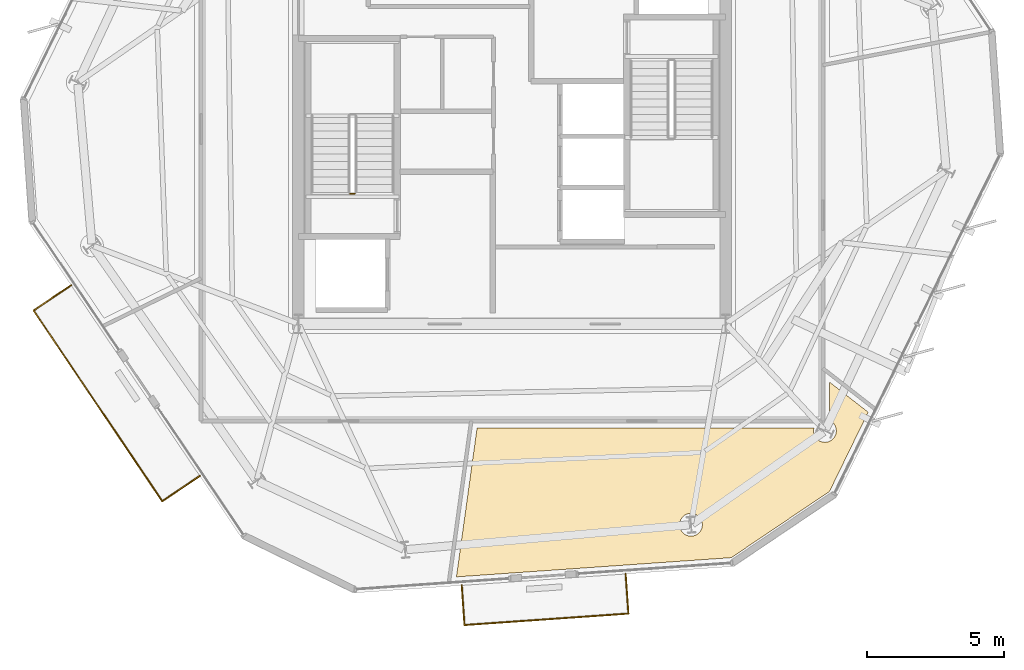
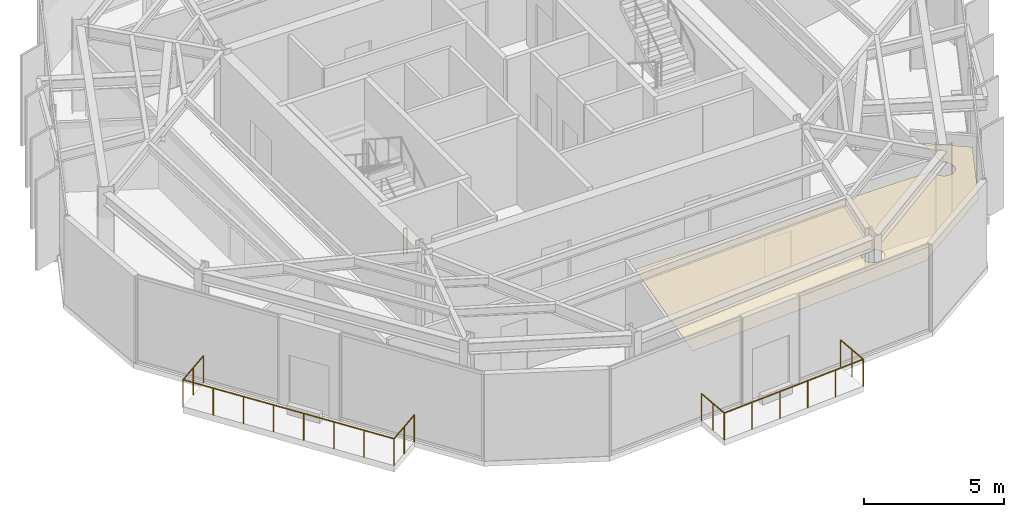
# One storey, part 9 of 13: 3 railings, 1 covering.
"""IFC4 building model written with IfcOpenShell, lengths in metres."""

from ifc_helpers import new_model, si_unit, direction, frame, origin, origin_2d, place, context, subcontext, project, spatial, polyline, circle, outline, extrude, material, layer, layer_set, type_object, element, save


model = new_model("IFC4")

# Units and contexts
model_context = context("Model", 3, precision=1e-05, world=origin(), true_north=direction((0.0, 1.0)))
body_context = subcontext(model_context, "Body", "Model", "MODEL_VIEW")
ifc_project = project(units=[si_unit("LENGTHUNIT", "METRE"), si_unit("AREAUNIT", "SQUARE_METRE"), si_unit("VOLUMEUNIT", "CUBIC_METRE"), si_unit("PLANEANGLEUNIT", "RADIAN"), si_unit("MASSUNIT", "GRAM", prefix="KILO")], contexts=[model_context])

# Site, building, storey
site_placement = place(None, origin())
site = spatial("IfcSite", under=ifc_project, at=site_placement, CompositionType="ELEMENT")
building_placement = place(site_placement, origin())
building = spatial("IfcBuilding", under=site, at=building_placement, Name="Kranzbogen Civic Tower", CompositionType="ELEMENT")
storey_placement = place(building_placement, frame((0.0, 0.0, 282.199951171875)))
storey = spatial("IfcBuildingStorey", under=building, at=storey_placement, Name="L68", CompositionType="ELEMENT", Elevation=282.199951171875)

# Railings
ifc_material_1 = material(Name="Anodised Bronze Aluminium", Category="aluminium")
railing_type_1 = type_object("IfcRailingType", Name="Cantilevered Balcony Glass and Bronze Balustrade 1200", PredefinedType="BALUSTRADE", material=ifc_material_1)
railing_1_placement = place(storey_placement, frame((23.1640625, 8.248046875, 0.0)))
element("IfcRailing", 1, at=railing_1_placement, inside=storey, type_object=railing_type_1, Name="L68 exterior terrace balustrade L68-TB1", PredefinedType="BALUSTRADE", context=body_context, shape_type="SweptSolid", body=[
    extrude(circle(Radius=0.02392578125, at=origin_2d()), frame((0.0, 0.0, 1.17578125), z_axis=(0.069559284056, -0.997577819522, 0.0), x_axis=(0.997577819522, 0.069559284056, 0.0)), (0.0, 0.0, 1.0), 1.449462890625),
    extrude(circle(Radius=0.02392578125, at=origin_2d()), frame((0.100830078125, -1.446044921875, 1.17578125), z_axis=(0.997570433661, 0.069665126756, 0.0), x_axis=(-0.069665126756, 0.997570433661, 0.0)), (0.0, 0.0, 1.0), 5.999755859375),
    extrude(circle(Radius=0.02392578125, at=origin_2d()), frame((6.0859375, -1.028076171875, 1.17578125), z_axis=(-0.069726890604, 0.997566118474, 0.0), x_axis=(-0.997566118474, -0.069726890604, 0.0)), (0.0, 0.0, 1.0), 1.449462890625),
    extrude(circle(Radius=0.02099609375, at=origin_2d()), origin(), (0.0, 0.0, 1.0), 1.15185546875),
    extrude(circle(Radius=0.02099609375, at=origin_2d()), frame((0.05029296875, -0.72314453125, 0.0)), (0.0, 0.0, 1.0), 1.15185546875),
    extrude(circle(Radius=0.02099609375, at=origin_2d()), frame((0.100830078125, -1.446044921875, 0.0)), (0.0, 0.0, 1.0), 1.15185546875),
    extrude(circle(Radius=0.02099609375, at=origin_2d()), frame((1.2978515625, -1.362548828125, 0.0)), (0.0, 0.0, 1.0), 1.15185546875),
    extrude(circle(Radius=0.02099609375, at=origin_2d()), frame((2.494873046875, -1.27880859375, 0.0)), (0.0, 0.0, 1.0), 1.15185546875),
    extrude(circle(Radius=0.02099609375, at=origin_2d()), frame((3.69189453125, -1.1953125, 0.0)), (0.0, 0.0, 1.0), 1.15185546875),
    extrude(circle(Radius=0.02099609375, at=origin_2d()), frame((4.888916015625, -1.111572265625, 0.0)), (0.0, 0.0, 1.0), 1.15185546875),
    extrude(circle(Radius=0.02099609375, at=origin_2d()), frame((6.0859375, -1.028076171875, 0.0)), (0.0, 0.0, 1.0), 1.15185546875),
    extrude(circle(Radius=0.02099609375, at=origin_2d()), frame((6.035400390625, -0.30517578125, 0.0)), (0.0, 0.0, 1.0), 1.15185546875),
    extrude(circle(Radius=0.02099609375, at=origin_2d()), frame((5.98486328125, 0.41796875, 0.0)), (0.0, 0.0, 1.0), 1.15185546875),
])
railing_2_placement = place(storey_placement, frame((8.903076171875, 19.208984375, 0.0)))
element("IfcRailing", 2, at=railing_2_placement, inside=storey, type_object=railing_type_1, Name="L68 exterior terrace balustrade L68-ST", PredefinedType="BALUSTRADE", context=body_context, shape_type="SweptSolid", body=[
    extrude(circle(Radius=0.02392578125, at=origin_2d()), frame((0.0, 0.0, 1.17578125), z_axis=(-0.828965267576, -0.559300085065, 0.0), x_axis=(0.559300085065, -0.828965267576, 0.0)), (0.0, 0.0, 1.0), 1.650390625),
    extrude(circle(Radius=0.02392578125, at=origin_2d()), frame((-1.3681640625, -0.923095703125, 1.17578125), z_axis=(0.559179300784, -0.829046747521, 0.0), x_axis=(0.829046747521, 0.559179300784, 0.0)), (0.0, 0.0, 1.0), 8.39990234375),
    extrude(circle(Radius=0.02392578125, at=origin_2d()), frame((3.328857421875, -7.886962890625, 1.17578125), z_axis=(0.828965267576, 0.559300085065, 0.0), x_axis=(-0.559300085065, 0.828965267576, 0.0)), (0.0, 0.0, 1.0), 1.650390625),
    extrude(circle(Radius=0.02099609375, at=origin_2d()), origin(), (0.0, 0.0, 1.0), 1.15185546875),
    extrude(circle(Radius=0.02099609375, at=origin_2d()), frame((-0.68408203125, -0.46142578125, 0.0)), (0.0, 0.0, 1.0), 1.15185546875),
    extrude(circle(Radius=0.02099609375, at=origin_2d()), frame((-1.3681640625, -0.923095703125, 0.0)), (0.0, 0.0, 1.0), 1.15185546875),
    extrude(circle(Radius=0.02099609375, at=origin_2d()), frame((-0.697265625, -1.91796875, 0.0)), (0.0, 0.0, 1.0), 1.15185546875),
    extrude(circle(Radius=0.02099609375, at=origin_2d()), frame((-0.026123046875, -2.912841796875, 0.0)), (0.0, 0.0, 1.0), 1.15185546875),
    extrude(circle(Radius=0.02099609375, at=origin_2d()), frame((0.644775390625, -3.90771484375, 0.0)), (0.0, 0.0, 1.0), 1.15185546875),
    extrude(circle(Radius=0.02099609375, at=origin_2d()), frame((1.31591796875, -4.90234375, 0.0)), (0.0, 0.0, 1.0), 1.15185546875),
    extrude(circle(Radius=0.02099609375, at=origin_2d()), frame((1.98681640625, -5.897216796875, 0.0)), (0.0, 0.0, 1.0), 1.15185546875),
    extrude(circle(Radius=0.02099609375, at=origin_2d()), frame((2.657958984375, -6.89208984375, 0.0)), (0.0, 0.0, 1.0), 1.15185546875),
    extrude(circle(Radius=0.02099609375, at=origin_2d()), frame((3.328857421875, -7.886962890625, 0.0)), (0.0, 0.0, 1.0), 1.15185546875),
    extrude(circle(Radius=0.02099609375, at=origin_2d()), frame((4.012939453125, -7.42529296875, 0.0)), (0.0, 0.0, 1.0), 1.15185546875),
    extrude(circle(Radius=0.02099609375, at=origin_2d()), frame((4.697021484375, -6.9638671875, 0.0)), (0.0, 0.0, 1.0), 1.15185546875),
])
ifc_material_2 = material(Name="Steel S355", Category="steel")
railing_type_2 = type_object("IfcRailingType", Name="Internal Stair and Void Steel Guardrail 1150", PredefinedType="GUARDRAIL", material=ifc_material_2)
railing_3_placement = place(storey_placement, frame((19.25, 22.550048828125, 0.0)))
element("IfcRailing", 3, at=railing_3_placement, inside=storey, type_object=railing_type_2, Name="L68 ST-T1 stair guard 4", PredefinedType="GUARDRAIL", context=body_context, shape_type="SweptSolid", body=[
    extrude(circle(Radius=0.02392578125, at=origin_2d()), frame((0.0, 0.0, 1.1259765625), z_axis=(-1.0, 0.0, 0.0), x_axis=(0.0, -1.0, 0.0)), (0.0, 0.0, 1.0), 0.14990234375),
    extrude(circle(Radius=0.02099609375, at=origin_2d()), origin(), (0.0, 0.0, 1.0), 1.101806640625),
    extrude(circle(Radius=0.02099609375, at=origin_2d()), frame((-0.14990234375, 0.0, 0.0)), (0.0, 0.0, 1.0), 1.101806640625),
])

# Covering
ifc_material_3 = material(Name="Perforated Acoustic Gypsum Ceiling")
ifc_layer = layer(ifc_material_3, 0.02490234375, Name="Perforated Acoustic Gypsum Ceiling")
ifc_layer_set = layer_set([ifc_layer], Name="Perforated Acoustic Gypsum Ceiling")
covering_type = type_object("IfcCoveringType", Name="Perforated Acoustic Mineral Ceiling Tile 25 mm", PredefinedType="CEILING", material=ifc_layer_set)
covering_placement = place(storey_placement, frame((0.0, 0.0, 2.900146484375)))
element("IfcCovering", 4, at=covering_placement, inside=storey, type_object=covering_type, Name="L68 Licensing Information Kiosk acoustic ceiling", PredefinedType="CEILING", context=body_context, shape_type="SweptSolid", body=[
    extrude(outline(polyline([(33.006103515625, 9.261962890625), (22.971923828125, 8.56005859375), (23.72607421875, 14.0048828125), (36.02587890625, 14.0048828125), (36.01806640625, 13.970947265625), (36.011962890625, 13.930908203125), (36.010009765625, 13.889892578125), (36.011962890625, 13.84912109375), (36.01806640625, 13.80908203125), (36.027099609375, 13.76904296875), (36.041015625, 13.73095703125), (36.05908203125, 13.694091796875), (36.080078125, 13.658935546875), (36.10400390625, 13.6259765625), (36.131103515625, 13.595947265625), (36.160888671875, 13.569091796875), (36.194091796875, 13.544921875), (36.22900390625, 13.52392578125), (36.26611328125, 13.506103515625), (36.303955078125, 13.491943359375), (36.343994140625, 13.48291015625), (36.384033203125, 13.47705078125), (36.425048828125, 13.47509765625), (36.466064453125, 13.47705078125), (36.506103515625, 13.48291015625), (36.5458984375, 13.491943359375), (36.583984375, 13.506103515625), (36.62109375, 13.52392578125), (36.656005859375, 13.544921875), (36.68896484375, 13.569091796875), (36.718994140625, 13.595947265625), (36.74609375, 13.6259765625), (36.77001953125, 13.658935546875), (36.791015625, 13.694091796875), (36.80908203125, 13.73095703125), (36.822998046875, 13.76904296875), (36.83203125, 13.80908203125), (36.837890625, 13.84912109375), (36.840087890625, 13.889892578125), (36.837890625, 13.930908203125), (36.83203125, 13.970947265625), (36.822998046875, 14.010986328125), (36.80908203125, 14.049072265625), (36.791015625, 14.0859375), (36.77001953125, 14.12109375), (36.74609375, 14.154052734375), (36.718994140625, 14.18408203125), (36.68896484375, 14.2109375), (36.656005859375, 14.235107421875), (36.62109375, 14.256103515625), (36.594970703125, 14.26904296875), (36.594970703125, 15.669921875), (38.00390625, 14.573974609375), (36.593017578125, 11.680908203125), (33.006103515625, 9.261962890625)]), holes=[polyline([(31.9169921875, 10.304931640625), (31.89892578125, 10.26806640625), (31.8779296875, 10.23291015625), (31.85400390625, 10.199951171875), (31.826904296875, 10.169921875), (31.797119140625, 10.14306640625), (31.763916015625, 10.118896484375), (31.72900390625, 10.097900390625), (31.69189453125, 10.080078125), (31.654052734375, 10.06591796875), (31.614013671875, 10.056884765625), (31.573974609375, 10.051025390625), (31.532958984375, 10.049072265625), (31.491943359375, 10.051025390625), (31.451904296875, 10.056884765625), (31.412109375, 10.06591796875), (31.3740234375, 10.080078125), (31.3369140625, 10.097900390625), (31.302001953125, 10.118896484375), (31.26904296875, 10.14306640625), (31.239013671875, 10.169921875), (31.2119140625, 10.199951171875), (31.18798828125, 10.23291015625), (31.1669921875, 10.26806640625), (31.14892578125, 10.304931640625), (31.135009765625, 10.343017578125), (31.1259765625, 10.383056640625), (31.1201171875, 10.423095703125), (31.117919921875, 10.464111328125), (31.1201171875, 10.5048828125), (31.1259765625, 10.544921875), (31.135009765625, 10.5849609375), (31.14892578125, 10.623046875), (31.1669921875, 10.659912109375), (31.18798828125, 10.695068359375), (31.2119140625, 10.72802734375), (31.239013671875, 10.758056640625), (31.26904296875, 10.784912109375), (31.302001953125, 10.80908203125), (31.3369140625, 10.830078125), (31.3740234375, 10.847900390625), (31.412109375, 10.862060546875), (31.451904296875, 10.87109375), (31.491943359375, 10.876953125), (31.532958984375, 10.87890625), (31.573974609375, 10.876953125), (31.614013671875, 10.87109375), (31.654052734375, 10.862060546875), (31.69189453125, 10.847900390625), (31.72900390625, 10.830078125), (31.763916015625, 10.80908203125), (31.797119140625, 10.784912109375), (31.826904296875, 10.758056640625), (31.85400390625, 10.72802734375), (31.8779296875, 10.695068359375), (31.89892578125, 10.659912109375), (31.9169921875, 10.623046875), (31.930908203125, 10.5849609375), (31.93994140625, 10.544921875), (31.946044921875, 10.5048828125), (31.947998046875, 10.464111328125), (31.946044921875, 10.423095703125), (31.93994140625, 10.383056640625), (31.930908203125, 10.343017578125), (31.9169921875, 10.304931640625)])]), origin(), (0.0, 0.0, 1.0), 0.02490234375),
])

save(model, "model.ifc")
